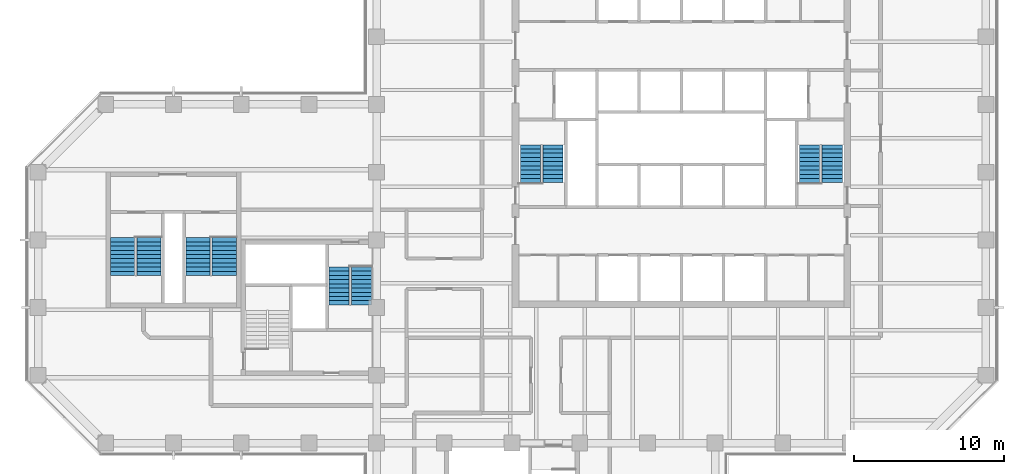
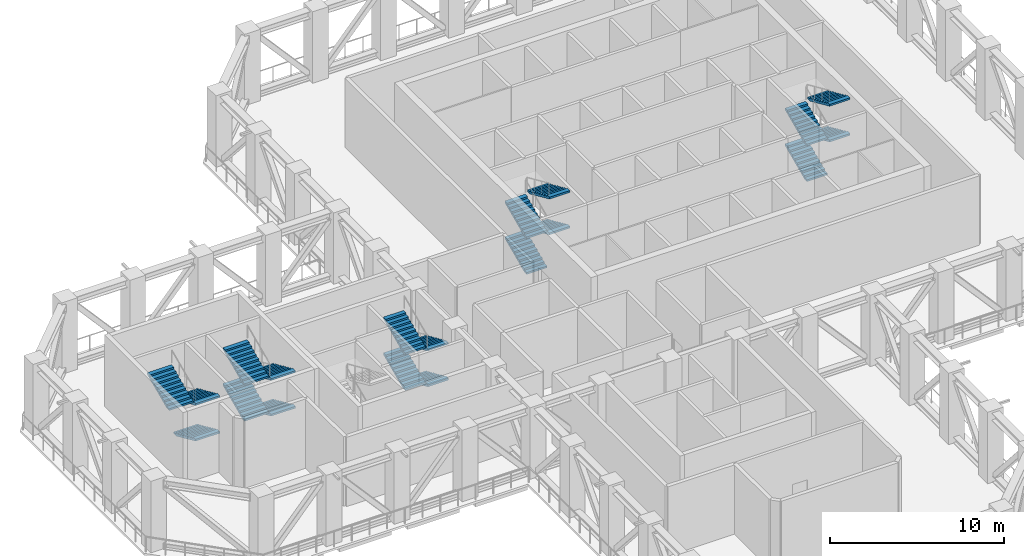
# One storey, part 8 of 14: 19 stair flights, 5 elements without a shape of their own.
"""IFC4 building model written with IfcOpenShell, lengths in metres."""

from ifc_helpers import new_model, si_unit, direction, frame, origin, place, context, subcontext, project, spatial, polyline, outline, extrude, material, type_object, element, aggregate, save


model = new_model("IFC4")

# Units and contexts
model_context = context("Model", 3, precision=1e-05, world=origin(), true_north=direction((0.0, 1.0)))
body_context = subcontext(model_context, "Body", "Model", "MODEL_VIEW")
ifc_project = project(units=[si_unit("LENGTHUNIT", "METRE"), si_unit("AREAUNIT", "SQUARE_METRE"), si_unit("VOLUMEUNIT", "CUBIC_METRE"), si_unit("PLANEANGLEUNIT", "RADIAN"), si_unit("MASSUNIT", "GRAM", prefix="KILO")], contexts=[model_context])

# Site, building, storey
site_placement = place(None, origin())
site = spatial("IfcSite", under=ifc_project, at=site_placement, CompositionType="ELEMENT")
building_placement = place(site_placement, origin())
building = spatial("IfcBuilding", under=site, at=building_placement, Name="Quoin Convention Tower", CompositionType="ELEMENT")
storey_placement = place(building_placement, frame((0.0, 0.0, 138.10009765625)))
storey = spatial("IfcBuildingStorey", under=building, at=storey_placement, Name="L36", CompositionType="ELEMENT", Elevation=138.10009765625)

# Stair, stair flights
ifc_material = material(Name="Concrete C40", Category="concrete")
stair_type_1 = type_object("IfcStairType", Name="Exit stair four-flight 1350", PredefinedType="DOUBLE_RETURN_STAIR", material=ifc_material)
stair_1_placement = place(storey_placement, origin())
stair_1 = element("IfcStair", 1, at=stair_1_placement, inside=storey, type_object=stair_type_1, Name="SD1 L36", PredefinedType="DOUBLE_RETURN_STAIR")
stair_flight_type_1 = type_object("IfcStairFlightType", Name="Stair flight 1350", PredefinedType="STRAIGHT", material=ifc_material)
stair_flight_1_placement = place(storey_placement, frame((46.22509765625, 57.800048828125, 0.0), z_axis=(0.0, 0.0, 1.0), x_axis=(0.0, 1.0, 0.0)))
stair_flight_1 = element("IfcStairFlight", 2, at=stair_flight_1_placement, type_object=stair_flight_type_1, Name="ST1 flight 1", NumberOfRisers=10, NumberOfTreads=9, PredefinedType="STRAIGHT", RiserHeight=0.125, TreadLength=0.28, context=body_context, shape_type="SweptSolid", body=[
    extrude(outline(polyline([(0.0, 0.0), (0.0, 0.125), (0.280029296875, 0.125), (0.280029296875, 0.25), (0.56005859375, 0.25), (0.56005859375, 0.375), (0.840087890625, 0.375), (0.840087890625, 0.5), (1.1201171875, 0.5), (1.1201171875, 0.625), (1.39990234375, 0.625), (1.39990234375, 0.75), (1.679931640625, 0.75), (1.679931640625, 0.875), (1.9599609375, 0.875), (1.9599609375, 1.0), (2.239990234375, 1.0), (2.239990234375, 1.125), (2.52001953125, 1.125), (2.52001953125, 1.25), (2.52001953125, 0.993408203125), (0.294677734375, 0.0), (0.0, 0.0)])), frame((0.0, 0.675048828125, 0.0), z_axis=(0.0, -1.0, 0.0), x_axis=(1.0, 0.0, 0.0)), (0.0, 0.0, 1.0), 1.35009765625),
])
stair_flight_2_placement = place(storey_placement, frame((47.72509765625, 60.320068359375, 1.25), z_axis=(0.0, 0.0, 1.0), x_axis=(0.0, -1.0, 0.0)))
stair_flight_2 = element("IfcStairFlight", 3, at=stair_flight_2_placement, type_object=stair_flight_type_1, Name="ST1 flight 2", NumberOfRisers=10, NumberOfTreads=9, PredefinedType="STRAIGHT", RiserHeight=0.125, TreadLength=0.28, context=body_context, shape_type="SweptSolid", body=[
    extrude(outline(polyline([(0.0, 0.0), (0.0, 0.125), (0.280029296875, 0.125), (0.280029296875, 0.25), (0.56005859375, 0.25), (0.56005859375, 0.375), (0.840087890625, 0.375), (0.840087890625, 0.5), (1.1201171875, 0.5), (1.1201171875, 0.625), (1.39990234375, 0.625), (1.39990234375, 0.75), (1.679931640625, 0.75), (1.679931640625, 0.875), (1.9599609375, 0.875), (1.9599609375, 1.0), (2.239990234375, 1.0), (2.239990234375, 1.125), (2.52001953125, 1.125), (2.52001953125, 1.25), (2.52001953125, 0.993408203125), (0.294677734375, 0.0), (0.0, 0.0)])), frame((0.0, 0.675048828125, 0.0), z_axis=(0.0, -1.0, 0.0), x_axis=(1.0, 0.0, 0.0)), (0.0, 0.0, 1.0), 1.35009765625),
])
stair_flight_3_placement = place(storey_placement, frame((46.22509765625, 57.800048828125, 2.5), z_axis=(0.0, 0.0, 1.0), x_axis=(0.0, 1.0, 0.0)))
stair_flight_3 = element("IfcStairFlight", 4, at=stair_flight_3_placement, type_object=stair_flight_type_1, Name="ST1 flight 3", NumberOfRisers=10, NumberOfTreads=9, PredefinedType="STRAIGHT", RiserHeight=0.125, TreadLength=0.28, context=body_context, shape_type="SweptSolid", body=[
    extrude(outline(polyline([(0.0, 0.0), (0.0, 0.125), (0.280029296875, 0.125), (0.280029296875, 0.25), (0.56005859375, 0.25), (0.56005859375, 0.375), (0.840087890625, 0.375), (0.840087890625, 0.5), (1.1201171875, 0.5), (1.1201171875, 0.625), (1.39990234375, 0.625), (1.39990234375, 0.75), (1.679931640625, 0.75), (1.679931640625, 0.875), (1.9599609375, 0.875), (1.9599609375, 1.0), (2.239990234375, 1.0), (2.239990234375, 1.125), (2.52001953125, 1.125), (2.52001953125, 1.25), (2.52001953125, 0.993408203125), (0.294677734375, 0.0), (0.0, 0.0)])), frame((0.0, 0.675048828125, 0.0), z_axis=(0.0, -1.0, 0.0), x_axis=(1.0, 0.0, 0.0)), (0.0, 0.0, 1.0), 1.35009765625),
])
stair_flight_4_placement = place(storey_placement, frame((47.72509765625, 60.320068359375, 3.75), z_axis=(0.0, 0.0, 1.0), x_axis=(0.0, -1.0, 0.0)))
stair_flight_4 = element("IfcStairFlight", 5, at=stair_flight_4_placement, type_object=stair_flight_type_1, Name="ST1 flight 4", NumberOfRisers=10, NumberOfTreads=9, PredefinedType="STRAIGHT", RiserHeight=0.125, TreadLength=0.28, context=body_context, shape_type="SweptSolid", body=[
    extrude(outline(polyline([(0.0, 0.0), (0.0, 0.125), (0.280029296875, 0.125), (0.280029296875, 0.25), (0.56005859375, 0.25), (0.56005859375, 0.375), (0.840087890625, 0.375), (0.840087890625, 0.5), (1.1201171875, 0.5), (1.1201171875, 0.625), (1.39990234375, 0.625), (1.39990234375, 0.75), (1.679931640625, 0.75), (1.679931640625, 0.875), (1.9599609375, 0.875), (1.9599609375, 1.0), (2.239990234375, 1.0), (2.239990234375, 1.125), (2.52001953125, 1.125), (2.52001953125, 1.25), (2.52001953125, 0.993408203125), (0.294677734375, 0.0), (0.0, 0.0)])), frame((0.0, 0.675048828125, 0.0), z_axis=(0.0, -1.0, 0.0), x_axis=(1.0, 0.0, 0.0)), (0.0, 0.0, 1.0), 1.35009765625),
])
aggregate(stair_1, [stair_flight_1, stair_flight_2, stair_flight_3, stair_flight_4])

stair_2_placement = place(storey_placement, origin())
stair_2 = element("IfcStair", 6, at=stair_2_placement, inside=storey, type_object=stair_type_1, Name="SD2 L36", PredefinedType="DOUBLE_RETURN_STAIR")
stair_flight_5_placement = place(storey_placement, frame((64.77490234375, 57.800048828125, 0.0), z_axis=(0.0, 0.0, 1.0), x_axis=(0.0, 1.0, 0.0)))
stair_flight_5 = element("IfcStairFlight", 7, at=stair_flight_5_placement, type_object=stair_flight_type_1, Name="ST2 flight 1", NumberOfRisers=10, NumberOfTreads=9, PredefinedType="STRAIGHT", RiserHeight=0.125, TreadLength=0.28, context=body_context, shape_type="SweptSolid", body=[
    extrude(outline(polyline([(0.0, 0.0), (0.0, 0.125), (0.280029296875, 0.125), (0.280029296875, 0.25), (0.56005859375, 0.25), (0.56005859375, 0.375), (0.840087890625, 0.375), (0.840087890625, 0.5), (1.1201171875, 0.5), (1.1201171875, 0.625), (1.39990234375, 0.625), (1.39990234375, 0.75), (1.679931640625, 0.75), (1.679931640625, 0.875), (1.9599609375, 0.875), (1.9599609375, 1.0), (2.239990234375, 1.0), (2.239990234375, 1.125), (2.52001953125, 1.125), (2.52001953125, 1.25), (2.52001953125, 0.993408203125), (0.294677734375, 0.0), (0.0, 0.0)])), frame((0.0, 0.675048828125, 0.0), z_axis=(0.0, -1.0, 0.0), x_axis=(1.0, 0.0, 0.0)), (0.0, 0.0, 1.0), 1.35009765625),
])
stair_flight_6_placement = place(storey_placement, frame((66.27490234375, 60.320068359375, 1.25), z_axis=(0.0, 0.0, 1.0), x_axis=(0.0, -1.0, 0.0)))
stair_flight_6 = element("IfcStairFlight", 8, at=stair_flight_6_placement, type_object=stair_flight_type_1, Name="ST2 flight 2", NumberOfRisers=10, NumberOfTreads=9, PredefinedType="STRAIGHT", RiserHeight=0.125, TreadLength=0.28, context=body_context, shape_type="SweptSolid", body=[
    extrude(outline(polyline([(0.0, 0.0), (0.0, 0.125), (0.280029296875, 0.125), (0.280029296875, 0.25), (0.56005859375, 0.25), (0.56005859375, 0.375), (0.840087890625, 0.375), (0.840087890625, 0.5), (1.1201171875, 0.5), (1.1201171875, 0.625), (1.39990234375, 0.625), (1.39990234375, 0.75), (1.679931640625, 0.75), (1.679931640625, 0.875), (1.9599609375, 0.875), (1.9599609375, 1.0), (2.239990234375, 1.0), (2.239990234375, 1.125), (2.52001953125, 1.125), (2.52001953125, 1.25), (2.52001953125, 0.993408203125), (0.294677734375, 0.0), (0.0, 0.0)])), frame((0.0, 0.675048828125, 0.0), z_axis=(0.0, -1.0, 0.0), x_axis=(1.0, 0.0, 0.0)), (0.0, 0.0, 1.0), 1.35009765625),
])
stair_flight_7_placement = place(storey_placement, frame((64.77490234375, 57.800048828125, 2.5), z_axis=(0.0, 0.0, 1.0), x_axis=(0.0, 1.0, 0.0)))
stair_flight_7 = element("IfcStairFlight", 9, at=stair_flight_7_placement, type_object=stair_flight_type_1, Name="ST2 flight 3", NumberOfRisers=10, NumberOfTreads=9, PredefinedType="STRAIGHT", RiserHeight=0.125, TreadLength=0.28, context=body_context, shape_type="SweptSolid", body=[
    extrude(outline(polyline([(0.0, 0.0), (0.0, 0.125), (0.280029296875, 0.125), (0.280029296875, 0.25), (0.56005859375, 0.25), (0.56005859375, 0.375), (0.840087890625, 0.375), (0.840087890625, 0.5), (1.1201171875, 0.5), (1.1201171875, 0.625), (1.39990234375, 0.625), (1.39990234375, 0.75), (1.679931640625, 0.75), (1.679931640625, 0.875), (1.9599609375, 0.875), (1.9599609375, 1.0), (2.239990234375, 1.0), (2.239990234375, 1.125), (2.52001953125, 1.125), (2.52001953125, 1.25), (2.52001953125, 0.993408203125), (0.294677734375, 0.0), (0.0, 0.0)])), frame((0.0, 0.675048828125, 0.0), z_axis=(0.0, -1.0, 0.0), x_axis=(1.0, 0.0, 0.0)), (0.0, 0.0, 1.0), 1.35009765625),
])
stair_flight_8_placement = place(storey_placement, frame((66.27490234375, 60.320068359375, 3.75), z_axis=(0.0, 0.0, 1.0), x_axis=(0.0, -1.0, 0.0)))
stair_flight_8 = element("IfcStairFlight", 10, at=stair_flight_8_placement, type_object=stair_flight_type_1, Name="ST2 flight 4", NumberOfRisers=10, NumberOfTreads=9, PredefinedType="STRAIGHT", RiserHeight=0.125, TreadLength=0.28, context=body_context, shape_type="SweptSolid", body=[
    extrude(outline(polyline([(0.0, 0.0), (0.0, 0.125), (0.280029296875, 0.125), (0.280029296875, 0.25), (0.56005859375, 0.25), (0.56005859375, 0.375), (0.840087890625, 0.375), (0.840087890625, 0.5), (1.1201171875, 0.5), (1.1201171875, 0.625), (1.39990234375, 0.625), (1.39990234375, 0.75), (1.679931640625, 0.75), (1.679931640625, 0.875), (1.9599609375, 0.875), (1.9599609375, 1.0), (2.239990234375, 1.0), (2.239990234375, 1.125), (2.52001953125, 1.125), (2.52001953125, 1.25), (2.52001953125, 0.993408203125), (0.294677734375, 0.0), (0.0, 0.0)])), frame((0.0, 0.675048828125, 0.0), z_axis=(0.0, -1.0, 0.0), x_axis=(1.0, 0.0, 0.0)), (0.0, 0.0, 1.0), 1.35009765625),
])
aggregate(stair_2, [stair_flight_5, stair_flight_6, stair_flight_7, stair_flight_8])

stair_3_placement = place(storey_placement, origin())
stair_3 = element("IfcStair", 11, at=stair_3_placement, inside=storey, type_object=stair_type_1, Name="SD4 L36", PredefinedType="DOUBLE_RETURN_STAIR")
stair_flight_9_placement = place(storey_placement, frame((35.0, 52.199951171875, 0.0), z_axis=(0.0, 0.0, 1.0), x_axis=(0.0, -1.0, 0.0)))
stair_flight_9 = element("IfcStairFlight", 12, at=stair_flight_9_placement, type_object=stair_flight_type_1, Name="ST4 flight 1", NumberOfRisers=10, NumberOfTreads=9, PredefinedType="STRAIGHT", RiserHeight=0.125, TreadLength=0.28, context=body_context, shape_type="SweptSolid", body=[
    extrude(outline(polyline([(0.0, 0.0), (0.0, 0.125), (0.280029296875, 0.125), (0.280029296875, 0.25), (0.56005859375, 0.25), (0.56005859375, 0.375), (0.840087890625, 0.375), (0.840087890625, 0.5), (1.1201171875, 0.5), (1.1201171875, 0.625), (1.39990234375, 0.625), (1.39990234375, 0.75), (1.679931640625, 0.75), (1.679931640625, 0.875), (1.9599609375, 0.875), (1.9599609375, 1.0), (2.239990234375, 1.0), (2.239990234375, 1.125), (2.52001953125, 1.125), (2.52001953125, 1.25), (2.52001953125, 0.993408203125), (0.294677734375, 0.0), (0.0, 0.0)])), frame((0.0, 0.675048828125, 0.0), z_axis=(0.0, -1.0, 0.0), x_axis=(1.0, 0.0, 0.0)), (0.0, 0.0, 1.0), 1.35009765625),
])
stair_flight_10_placement = place(storey_placement, frame((33.5, 49.679931640625, 1.25), z_axis=(0.0, 0.0, 1.0), x_axis=(0.0, 1.0, 0.0)))
stair_flight_10 = element("IfcStairFlight", 13, at=stair_flight_10_placement, type_object=stair_flight_type_1, Name="ST4 flight 2", NumberOfRisers=10, NumberOfTreads=9, PredefinedType="STRAIGHT", RiserHeight=0.125, TreadLength=0.28, context=body_context, shape_type="SweptSolid", body=[
    extrude(outline(polyline([(0.0, 0.0), (0.0, 0.125), (0.280029296875, 0.125), (0.280029296875, 0.25), (0.56005859375, 0.25), (0.56005859375, 0.375), (0.840087890625, 0.375), (0.840087890625, 0.5), (1.1201171875, 0.5), (1.1201171875, 0.625), (1.39990234375, 0.625), (1.39990234375, 0.75), (1.679931640625, 0.75), (1.679931640625, 0.875), (1.9599609375, 0.875), (1.9599609375, 1.0), (2.239990234375, 1.0), (2.239990234375, 1.125), (2.52001953125, 1.125), (2.52001953125, 1.25), (2.52001953125, 0.993408203125), (0.294677734375, 0.0), (0.0, 0.0)])), frame((0.0, 0.675048828125, 0.0), z_axis=(0.0, -1.0, 0.0), x_axis=(1.0, 0.0, 0.0)), (0.0, 0.0, 1.0), 1.35009765625),
])
stair_flight_11_placement = place(storey_placement, frame((35.0, 52.199951171875, 2.5), z_axis=(0.0, 0.0, 1.0), x_axis=(0.0, -1.0, 0.0)))
stair_flight_11 = element("IfcStairFlight", 14, at=stair_flight_11_placement, type_object=stair_flight_type_1, Name="ST4 flight 3", NumberOfRisers=10, NumberOfTreads=9, PredefinedType="STRAIGHT", RiserHeight=0.125, TreadLength=0.28, context=body_context, shape_type="SweptSolid", body=[
    extrude(outline(polyline([(0.0, 0.0), (0.0, 0.125), (0.280029296875, 0.125), (0.280029296875, 0.25), (0.56005859375, 0.25), (0.56005859375, 0.375), (0.840087890625, 0.375), (0.840087890625, 0.5), (1.1201171875, 0.5), (1.1201171875, 0.625), (1.39990234375, 0.625), (1.39990234375, 0.75), (1.679931640625, 0.75), (1.679931640625, 0.875), (1.9599609375, 0.875), (1.9599609375, 1.0), (2.239990234375, 1.0), (2.239990234375, 1.125), (2.52001953125, 1.125), (2.52001953125, 1.25), (2.52001953125, 0.993408203125), (0.294677734375, 0.0), (0.0, 0.0)])), frame((0.0, 0.675048828125, 0.0), z_axis=(0.0, -1.0, 0.0), x_axis=(1.0, 0.0, 0.0)), (0.0, 0.0, 1.0), 1.35009765625),
])
stair_flight_12_placement = place(storey_placement, frame((33.5, 49.679931640625, 3.75), z_axis=(0.0, 0.0, 1.0), x_axis=(0.0, 1.0, 0.0)))
stair_flight_12 = element("IfcStairFlight", 15, at=stair_flight_12_placement, type_object=stair_flight_type_1, Name="ST4 flight 4", NumberOfRisers=10, NumberOfTreads=9, PredefinedType="STRAIGHT", RiserHeight=0.125, TreadLength=0.28, context=body_context, shape_type="SweptSolid", body=[
    extrude(outline(polyline([(0.0, 0.0), (0.0, 0.125), (0.280029296875, 0.125), (0.280029296875, 0.25), (0.56005859375, 0.25), (0.56005859375, 0.375), (0.840087890625, 0.375), (0.840087890625, 0.5), (1.1201171875, 0.5), (1.1201171875, 0.625), (1.39990234375, 0.625), (1.39990234375, 0.75), (1.679931640625, 0.75), (1.679931640625, 0.875), (1.9599609375, 0.875), (1.9599609375, 1.0), (2.239990234375, 1.0), (2.239990234375, 1.125), (2.52001953125, 1.125), (2.52001953125, 1.25), (2.52001953125, 0.993408203125), (0.294677734375, 0.0), (0.0, 0.0)])), frame((0.0, 0.675048828125, 0.0), z_axis=(0.0, -1.0, 0.0), x_axis=(1.0, 0.0, 0.0)), (0.0, 0.0, 1.0), 1.35009765625),
])
aggregate(stair_3, [stair_flight_9, stair_flight_10, stair_flight_11, stair_flight_12])

stair_type_2 = type_object("IfcStairType", Name="Exit stair four-flight 1600", PredefinedType="DOUBLE_RETURN_STAIR", material=ifc_material)
stair_4_placement = place(storey_placement, origin())
stair_4 = element("IfcStair", 16, at=stair_4_placement, inside=storey, type_object=stair_type_2, Name="SD11 L36", PredefinedType="DOUBLE_RETURN_STAIR")
stair_flight_type_2 = type_object("IfcStairFlightType", Name="Stair flight 1600", PredefinedType="STRAIGHT", material=ifc_material)
stair_flight_13_placement = place(storey_placement, frame((20.875, 54.14990234375, 0.0), z_axis=(0.0, 0.0, 1.0), x_axis=(0.0, -1.0, 0.0)))
stair_flight_13 = element("IfcStairFlight", 17, at=stair_flight_13_placement, type_object=stair_flight_type_2, Name="ST11 flight 1", NumberOfRisers=10, NumberOfTreads=9, PredefinedType="STRAIGHT", RiserHeight=0.125, TreadLength=0.28, context=body_context, shape_type="SweptSolid", body=[
    extrude(outline(polyline([(0.0, 0.0), (0.0, 0.125), (0.280029296875, 0.125), (0.280029296875, 0.25), (0.56005859375, 0.25), (0.56005859375, 0.375), (0.840087890625, 0.375), (0.840087890625, 0.5), (1.1201171875, 0.5), (1.1201171875, 0.625), (1.39990234375, 0.625), (1.39990234375, 0.75), (1.679931640625, 0.75), (1.679931640625, 0.875), (1.9599609375, 0.875), (1.9599609375, 1.0), (2.239990234375, 1.0), (2.239990234375, 1.125), (2.52001953125, 1.125), (2.52001953125, 1.25), (2.52001953125, 0.993408203125), (0.294677734375, 0.0), (0.0, 0.0)])), frame((0.0, 0.800048828125, 0.0), z_axis=(0.0, -1.0, 0.0), x_axis=(1.0, 0.0, 0.0)), (0.0, 0.0, 1.0), 1.60009765625),
])
stair_flight_14_placement = place(storey_placement, frame((20.875, 54.14990234375, 2.5), z_axis=(0.0, 0.0, 1.0), x_axis=(0.0, -1.0, 0.0)))
stair_flight_14 = element("IfcStairFlight", 18, at=stair_flight_14_placement, type_object=stair_flight_type_2, Name="ST11 flight 3", NumberOfRisers=10, NumberOfTreads=9, PredefinedType="STRAIGHT", RiserHeight=0.125, TreadLength=0.28, context=body_context, shape_type="SweptSolid", body=[
    extrude(outline(polyline([(0.0, 0.0), (0.0, 0.125), (0.280029296875, 0.125), (0.280029296875, 0.25), (0.56005859375, 0.25), (0.56005859375, 0.375), (0.840087890625, 0.375), (0.840087890625, 0.5), (1.1201171875, 0.5), (1.1201171875, 0.625), (1.39990234375, 0.625), (1.39990234375, 0.75), (1.679931640625, 0.75), (1.679931640625, 0.875), (1.9599609375, 0.875), (1.9599609375, 1.0), (2.239990234375, 1.0), (2.239990234375, 1.125), (2.52001953125, 1.125), (2.52001953125, 1.25), (2.52001953125, 0.993408203125), (0.294677734375, 0.0), (0.0, 0.0)])), frame((0.0, 0.800048828125, 0.0), z_axis=(0.0, -1.0, 0.0), x_axis=(1.0, 0.0, 0.0)), (0.0, 0.0, 1.0), 1.60009765625),
])
stair_flight_15_placement = place(storey_placement, frame((19.125, 51.6298828125, 3.75), z_axis=(0.0, 0.0, 1.0), x_axis=(0.0, 1.0, 0.0)))
stair_flight_15 = element("IfcStairFlight", 19, at=stair_flight_15_placement, type_object=stair_flight_type_2, Name="ST11 flight 4", NumberOfRisers=10, NumberOfTreads=9, PredefinedType="STRAIGHT", RiserHeight=0.125, TreadLength=0.28, context=body_context, shape_type="SweptSolid", body=[
    extrude(outline(polyline([(0.0, 0.0), (0.0, 0.125), (0.280029296875, 0.125), (0.280029296875, 0.25), (0.56005859375, 0.25), (0.56005859375, 0.375), (0.840087890625, 0.375), (0.840087890625, 0.5), (1.1201171875, 0.5), (1.1201171875, 0.625), (1.39990234375, 0.625), (1.39990234375, 0.75), (1.679931640625, 0.75), (1.679931640625, 0.875), (1.9599609375, 0.875), (1.9599609375, 1.0), (2.239990234375, 1.0), (2.239990234375, 1.125), (2.52001953125, 1.125), (2.52001953125, 1.25), (2.52001953125, 0.993408203125), (0.294677734375, 0.0), (0.0, 0.0)])), frame((0.0, 0.800048828125, 0.0), z_axis=(0.0, -1.0, 0.0), x_axis=(1.0, 0.0, 0.0)), (0.0, 0.0, 1.0), 1.60009765625),
])
aggregate(stair_4, [stair_flight_13, stair_flight_14, stair_flight_15])

stair_5_placement = place(storey_placement, origin())
stair_5 = element("IfcStair", 20, at=stair_5_placement, inside=storey, type_object=stair_type_2, Name="SD12 L36", PredefinedType="DOUBLE_RETURN_STAIR")
stair_flight_16_placement = place(storey_placement, frame((25.875, 54.14990234375, 0.0), z_axis=(0.0, 0.0, 1.0), x_axis=(0.0, -1.0, 0.0)))
stair_flight_16 = element("IfcStairFlight", 21, at=stair_flight_16_placement, type_object=stair_flight_type_2, Name="ST12 flight 1", NumberOfRisers=10, NumberOfTreads=9, PredefinedType="STRAIGHT", RiserHeight=0.125, TreadLength=0.28, context=body_context, shape_type="SweptSolid", body=[
    extrude(outline(polyline([(0.0, 0.0), (0.0, 0.125), (0.280029296875, 0.125), (0.280029296875, 0.25), (0.56005859375, 0.25), (0.56005859375, 0.375), (0.840087890625, 0.375), (0.840087890625, 0.5), (1.1201171875, 0.5), (1.1201171875, 0.625), (1.39990234375, 0.625), (1.39990234375, 0.75), (1.679931640625, 0.75), (1.679931640625, 0.875), (1.9599609375, 0.875), (1.9599609375, 1.0), (2.239990234375, 1.0), (2.239990234375, 1.125), (2.52001953125, 1.125), (2.52001953125, 1.25), (2.52001953125, 0.993408203125), (0.294677734375, 0.0), (0.0, 0.0)])), frame((0.0, 0.800048828125, 0.0), z_axis=(0.0, -1.0, 0.0), x_axis=(1.0, 0.0, 0.0)), (0.0, 0.0, 1.0), 1.60009765625),
])
stair_flight_17_placement = place(storey_placement, frame((24.125, 51.6298828125, 1.25), z_axis=(0.0, 0.0, 1.0), x_axis=(0.0, 1.0, 0.0)))
stair_flight_17 = element("IfcStairFlight", 22, at=stair_flight_17_placement, type_object=stair_flight_type_2, Name="ST12 flight 2", NumberOfRisers=10, NumberOfTreads=9, PredefinedType="STRAIGHT", RiserHeight=0.125, TreadLength=0.28, context=body_context, shape_type="SweptSolid", body=[
    extrude(outline(polyline([(0.0, 0.0), (0.0, 0.125), (0.280029296875, 0.125), (0.280029296875, 0.25), (0.56005859375, 0.25), (0.56005859375, 0.375), (0.840087890625, 0.375), (0.840087890625, 0.5), (1.1201171875, 0.5), (1.1201171875, 0.625), (1.39990234375, 0.625), (1.39990234375, 0.75), (1.679931640625, 0.75), (1.679931640625, 0.875), (1.9599609375, 0.875), (1.9599609375, 1.0), (2.239990234375, 1.0), (2.239990234375, 1.125), (2.52001953125, 1.125), (2.52001953125, 1.25), (2.52001953125, 0.993408203125), (0.294677734375, 0.0), (0.0, 0.0)])), frame((0.0, 0.800048828125, 0.0), z_axis=(0.0, -1.0, 0.0), x_axis=(1.0, 0.0, 0.0)), (0.0, 0.0, 1.0), 1.60009765625),
])
stair_flight_18_placement = place(storey_placement, frame((25.875, 54.14990234375, 2.5), z_axis=(0.0, 0.0, 1.0), x_axis=(0.0, -1.0, 0.0)))
stair_flight_18 = element("IfcStairFlight", 23, at=stair_flight_18_placement, type_object=stair_flight_type_2, Name="ST12 flight 3", NumberOfRisers=10, NumberOfTreads=9, PredefinedType="STRAIGHT", RiserHeight=0.125, TreadLength=0.28, context=body_context, shape_type="SweptSolid", body=[
    extrude(outline(polyline([(0.0, 0.0), (0.0, 0.125), (0.280029296875, 0.125), (0.280029296875, 0.25), (0.56005859375, 0.25), (0.56005859375, 0.375), (0.840087890625, 0.375), (0.840087890625, 0.5), (1.1201171875, 0.5), (1.1201171875, 0.625), (1.39990234375, 0.625), (1.39990234375, 0.75), (1.679931640625, 0.75), (1.679931640625, 0.875), (1.9599609375, 0.875), (1.9599609375, 1.0), (2.239990234375, 1.0), (2.239990234375, 1.125), (2.52001953125, 1.125), (2.52001953125, 1.25), (2.52001953125, 0.993408203125), (0.294677734375, 0.0), (0.0, 0.0)])), frame((0.0, 0.800048828125, 0.0), z_axis=(0.0, -1.0, 0.0), x_axis=(1.0, 0.0, 0.0)), (0.0, 0.0, 1.0), 1.60009765625),
])
stair_flight_19_placement = place(storey_placement, frame((24.125, 51.6298828125, 3.75), z_axis=(0.0, 0.0, 1.0), x_axis=(0.0, 1.0, 0.0)))
stair_flight_19 = element("IfcStairFlight", 24, at=stair_flight_19_placement, type_object=stair_flight_type_2, Name="ST12 flight 4", NumberOfRisers=10, NumberOfTreads=9, PredefinedType="STRAIGHT", RiserHeight=0.125, TreadLength=0.28, context=body_context, shape_type="SweptSolid", body=[
    extrude(outline(polyline([(0.0, 0.0), (0.0, 0.125), (0.280029296875, 0.125), (0.280029296875, 0.25), (0.56005859375, 0.25), (0.56005859375, 0.375), (0.840087890625, 0.375), (0.840087890625, 0.5), (1.1201171875, 0.5), (1.1201171875, 0.625), (1.39990234375, 0.625), (1.39990234375, 0.75), (1.679931640625, 0.75), (1.679931640625, 0.875), (1.9599609375, 0.875), (1.9599609375, 1.0), (2.239990234375, 1.0), (2.239990234375, 1.125), (2.52001953125, 1.125), (2.52001953125, 1.25), (2.52001953125, 0.993408203125), (0.294677734375, 0.0), (0.0, 0.0)])), frame((0.0, 0.800048828125, 0.0), z_axis=(0.0, -1.0, 0.0), x_axis=(1.0, 0.0, 0.0)), (0.0, 0.0, 1.0), 1.60009765625),
])
aggregate(stair_5, [stair_flight_16, stair_flight_17, stair_flight_18, stair_flight_19])

save(model, "model.ifc")
